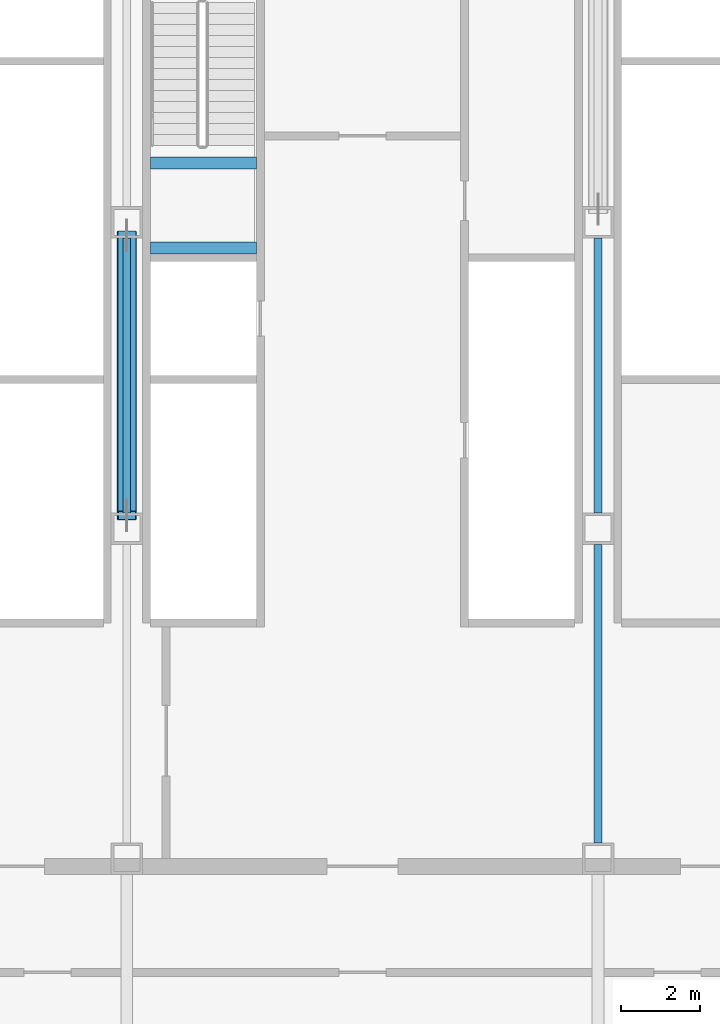
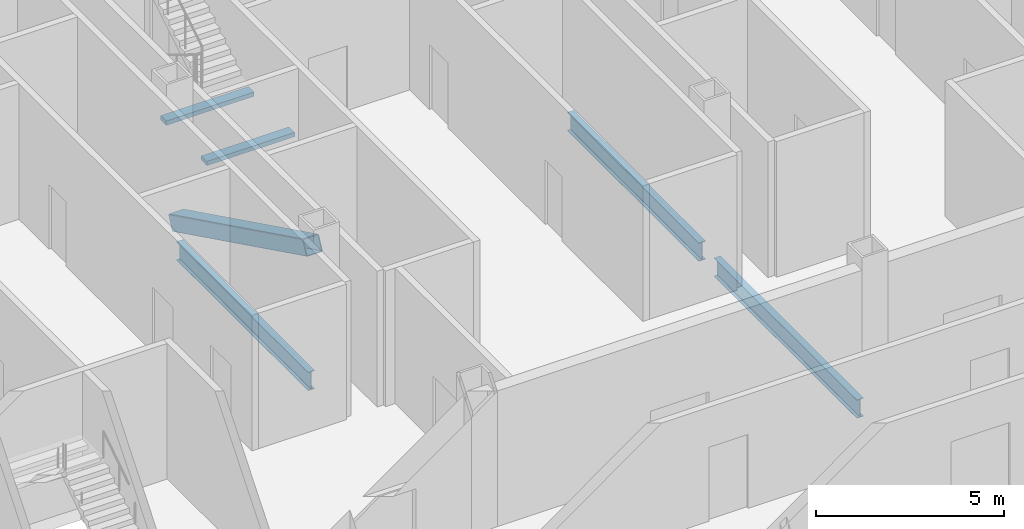
# One storey, part 12 of 33: 5 beams, 1 member.
"""IFC4 building model written with IfcOpenShell, lengths in metres."""

from ifc_helpers import new_model, si_unit, direction, frame, origin, origin_2d, place, context, subcontext, project, spatial, rectangle, hollow_rectangle, i_section, extrude, material, material_profile, profile_set, type_object, element, save


model = new_model("IFC4")

# Units and contexts
model_context = context("Model", 3, precision=1e-05, world=origin(), true_north=direction((0.0, 1.0)))
body_context = subcontext(model_context, "Body", "Model", "MODEL_VIEW")
ifc_project = project(units=[si_unit("LENGTHUNIT", "METRE"), si_unit("AREAUNIT", "SQUARE_METRE"), si_unit("VOLUMEUNIT", "CUBIC_METRE"), si_unit("PLANEANGLEUNIT", "RADIAN"), si_unit("MASSUNIT", "GRAM", prefix="KILO")], contexts=[model_context])

# Site, building, storey
site_placement = place(None, origin())
site = spatial("IfcSite", under=ifc_project, at=site_placement, CompositionType="ELEMENT")
building_placement = place(site_placement, origin())
building = spatial("IfcBuilding", under=site, at=building_placement, Name="Sorahane Residences", CompositionType="ELEMENT")
storey_placement = place(building_placement, frame((0.0, 0.0, 30.0)))
storey = spatial("IfcBuildingStorey", under=building, at=storey_placement, Name="L04", CompositionType="ELEMENT", Elevation=30.0)

# Member
ifc_material_1 = material(Name="Steel Q355B", Category="steel")
ifc_material_profile_1 = material_profile(ifc_material_1, hollow_rectangle(XDim=0.5, YDim=0.5, WallThickness=0.02490234375, InnerFilletRadius=0.012451171875, OuterFilletRadius=0.03759765625, at=origin_2d()), Name="RHS 500x500x25")
ifc_profile_set_1 = profile_set([ifc_material_profile_1], Name="Steel Q355B")
member_type = type_object("IfcMemberType", Name="Core brace RHS 500x500x25 Q355B", PredefinedType="BRACE", material=ifc_profile_set_1)
member_placement = place(storey_placement, frame((18.0, 37.46630859375, 0.21728515625), z_axis=(0.0, -0.89697311716, 0.44208509033), x_axis=(1.0, 0.0, 0.0)))
element("IfcMember", 1, at=member_placement, inside=storey, type_object=member_type, Name="Core brace L04 x18-1", PredefinedType="BRACE", context=body_context, shape_type="SweptSolid", body=[
    extrude(hollow_rectangle(XDim=0.5, YDim=0.5, WallThickness=0.02490234375, InnerFilletRadius=0.012451171875, OuterFilletRadius=0.03759765625, at=origin_2d()), origin(), (0.0, 0.0, 1.0), 7.951904296875),
])

# Beams
ifc_material_2 = material(Name="Concrete C40", Category="concrete")
ifc_material_profile_2 = material_profile(ifc_material_2, rectangle(XDim=0.300048828125, YDim=0.139892578125, at=origin_2d()), Name="300x140")
ifc_profile_set_2 = profile_set([ifc_material_profile_2], Name="Concrete C40")
beam_type_1 = type_object("IfcBeamType", Name="RC landing beam 300 x 140 Concrete C40", PredefinedType="BEAM", material=ifc_profile_set_2)
for number, where, z_axis, x_axis, name in (
    (2, (18.60009765625, 37.14990234375, 2.1298828125), (1.0, 0.0, 0.0), (0.0, 1.0, 0.0), "Landing beam"),
    (3, (18.60009765625, 39.31005859375, 2.1298828125), (1.0, 0.0, 0.0), (0.0, 1.0, 0.0), "Landing beam"),
):
    element("IfcBeam", number, at=place(storey_placement, frame(where, z_axis=z_axis, x_axis=x_axis)), inside=storey, type_object=beam_type_1, Name=name, PredefinedType="BEAM", context=body_context, shape_type="SweptSolid", body=[
        extrude(rectangle(XDim=0.300048828125, YDim=0.139892578125, at=origin_2d()), origin(), (0.0, 0.0, 1.0), 2.699951171875),
    ])
ifc_material_3 = material(Name="Steel Q355B", Category="steel")
ifc_material_profile_3 = material_profile(ifc_material_3, i_section(OverallWidth=0.199951171875, OverallDepth=0.60009765625, WebThickness=0.010986328125, FlangeThickness=0.01708984375, FilletRadius=0.02392578125, at=origin_2d()), Name="HN 600x200x11x17")
ifc_profile_set_3 = profile_set([ifc_material_profile_3], Name="Steel Q355B")
beam_type_2 = type_object("IfcBeamType", Name="Steel floor beam HN 600x200x11x17 Q355B", PredefinedType="BEAM", material=ifc_profile_set_3)
beam_1_placement = place(storey_placement, frame((18.0, 30.39990234375, -0.699951171875), z_axis=(0.0, 1.0, 0.0), x_axis=(-1.0, 0.0, 0.0)))
element("IfcBeam", 4, at=beam_1_placement, inside=storey, type_object=beam_type_2, Name="Beam L04 041", PredefinedType="BEAM", context=body_context, shape_type="SweptSolid", body=[
    extrude(i_section(OverallWidth=0.199951171875, OverallDepth=0.60009765625, WebThickness=0.010986328125, FlangeThickness=0.01708984375, FilletRadius=0.02392578125, at=origin_2d()), origin(), (0.0, 0.0, 1.0), 7.0),
])
beam_2_placement = place(storey_placement, frame((30.0, 22.0, -0.699951171875), z_axis=(0.0, 1.0, 0.0), x_axis=(-1.0, 0.0, 0.0)))
element("IfcBeam", 5, at=beam_2_placement, inside=storey, type_object=beam_type_2, Name="Beam L04 049", PredefinedType="BEAM", context=body_context, shape_type="SweptSolid", body=[
    extrude(i_section(OverallWidth=0.199951171875, OverallDepth=0.60009765625, WebThickness=0.010986328125, FlangeThickness=0.01708984375, FilletRadius=0.02392578125, at=origin_2d()), origin(), (0.0, 0.0, 1.0), 7.60009765625),
])
beam_3_placement = place(storey_placement, frame((30.0, 30.39990234375, -0.699951171875), z_axis=(0.0, 1.0, 0.0), x_axis=(-1.0, 0.0, 0.0)))
element("IfcBeam", 6, at=beam_3_placement, inside=storey, type_object=beam_type_2, Name="Beam L04 050", PredefinedType="BEAM", context=body_context, shape_type="SweptSolid", body=[
    extrude(i_section(OverallWidth=0.199951171875, OverallDepth=0.60009765625, WebThickness=0.010986328125, FlangeThickness=0.01708984375, FilletRadius=0.02392578125, at=origin_2d()), origin(), (0.0, 0.0, 1.0), 7.0),
])

save(model, "model.ifc")
